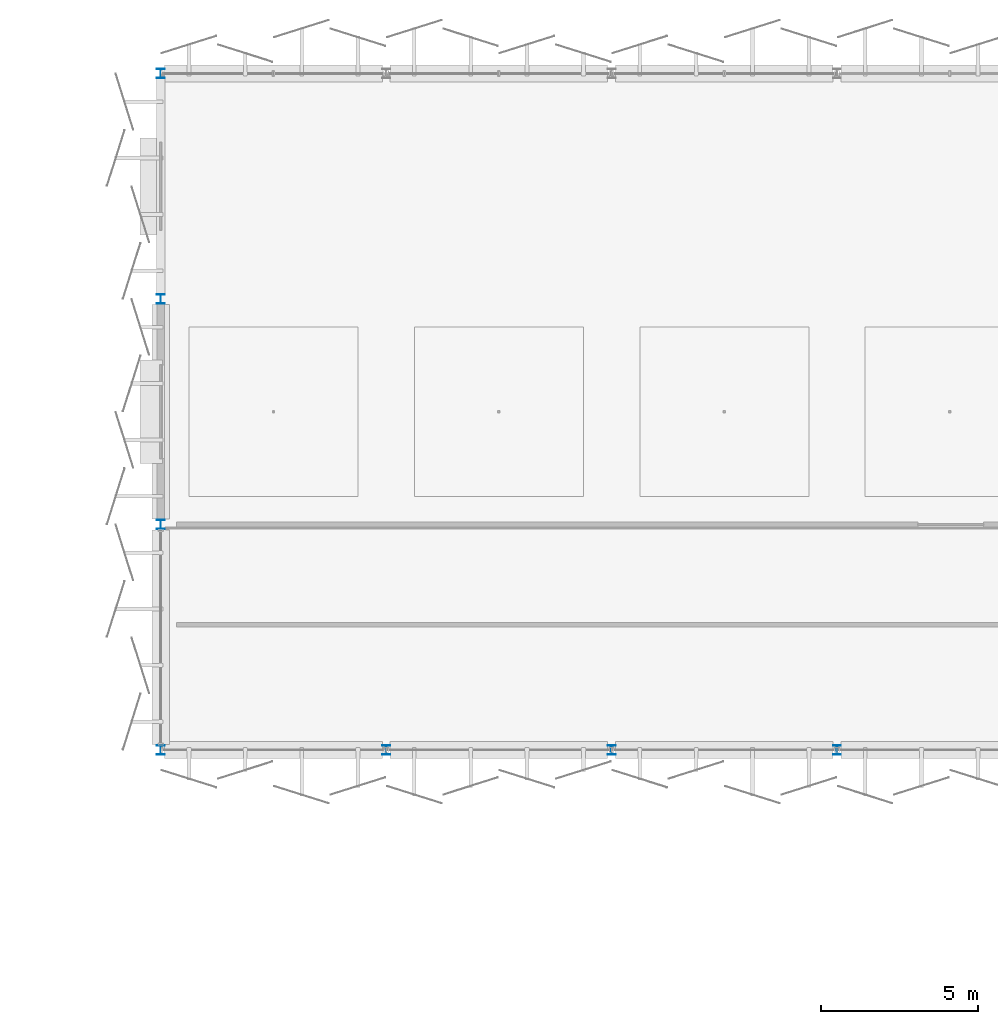
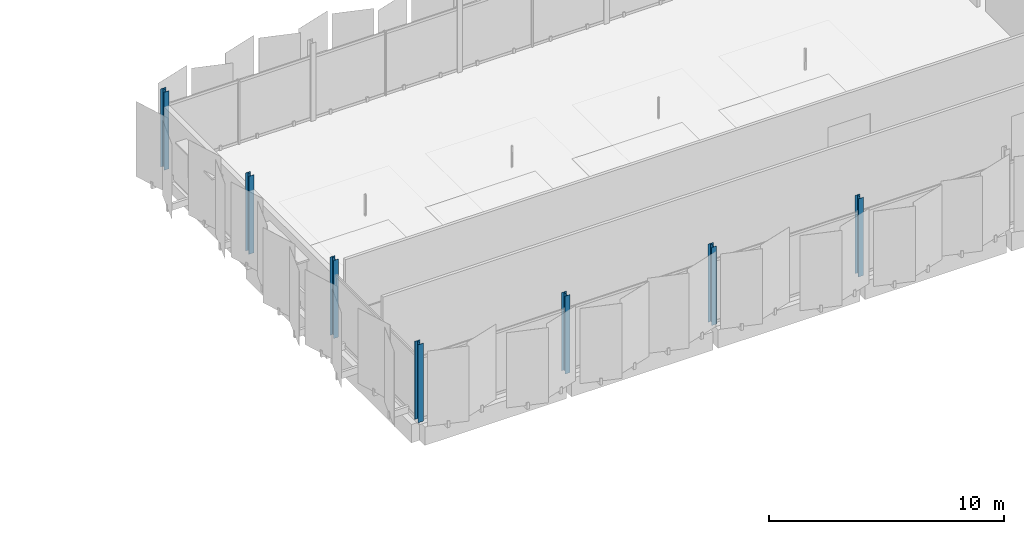
# One storey, part 2 of 77: 7 columns.
"""IFC4 building model written with IfcOpenShell, lengths in metres."""

from ifc_helpers import new_model, si_unit, direction, frame, origin, origin_2d, place, context, subcontext, project, spatial, i_section, extrude, material, material_profile, profile_set, type_object, element, save


model = new_model("IFC4")

# Units and contexts
model_context = context("Model", 3, precision=1e-05, world=origin(), true_north=direction((0.0, 1.0)))
body_context = subcontext(model_context, "Body", "Model", "MODEL_VIEW")
ifc_project = project(units=[si_unit("LENGTHUNIT", "METRE"), si_unit("AREAUNIT", "SQUARE_METRE"), si_unit("VOLUMEUNIT", "CUBIC_METRE"), si_unit("PLANEANGLEUNIT", "RADIAN"), si_unit("MASSUNIT", "GRAM", prefix="KILO")], contexts=[model_context])

# Site, building, storey
site_placement = place(None, origin())
site = spatial("IfcSite", under=ifc_project, at=site_placement, CompositionType="ELEMENT")
building_placement = place(site_placement, origin())
building = spatial("IfcBuilding", under=site, at=building_placement, Name="Kangsadwip Square Police Headquarters", CompositionType="ELEMENT")
storey_placement = place(building_placement, frame((0.0, 0.0, 17.550048828125)))
storey = spatial("IfcBuildingStorey", under=building, at=storey_placement, Name="L04", CompositionType="ELEMENT", Elevation=17.550048828125)

# Columns
ifc_material = material(Name="Structural steel IS 2062 E350 (Grade 350, 350 MPa)", Category="steel")
ifc_material_profile = material_profile(ifc_material, i_section(OverallWidth=0.25, OverallDepth=0.300048828125, WebThickness=0.009521484375, FlangeThickness=0.010498046875, at=origin_2d()), Name="ISHB 300")
ifc_profile_set = profile_set([ifc_material_profile], Name="Structural steel IS 2062 E350 (Grade 350, 350 MPa)")
column_type = type_object("IfcColumnType", Name="SteelColIshb300", PredefinedType="COLUMN", material=ifc_profile_set)
for number, where, z_axis, x_axis, name in (
    (1, (93.60009765625, 93.60009765625, 0.0), (0.0, 0.0, 1.0), (1.0, 0.0, 0.0), "Column COL-L04-13-13"),
    (2, (93.60009765625, 100.800048828125, 0.0), (0.0, 0.0, 1.0), (1.0, 0.0, 0.0), "Column COL-L04-13-14"),
    (3, (93.60009765625, 108.0, 0.0), (0.0, 0.0, 1.0), (1.0, 0.0, 0.0), "Column COL-L04-13-15"),
    (4, (93.60009765625, 115.199951171875, 0.0), (0.0, 0.0, 1.0), (1.0, 0.0, 0.0), "Column COL-L04-13-16"),
    (5, (100.800048828125, 93.60009765625, 0.0), (0.0, 0.0, 1.0), (1.0, 0.0, 0.0), "Column COL-L04-14-13"),
    (6, (108.0, 93.60009765625, 0.0), (0.0, 0.0, 1.0), (1.0, 0.0, 0.0), "Column COL-L04-15-13"),
    (7, (115.199951171875, 93.60009765625, 0.0), (0.0, 0.0, 1.0), (1.0, 0.0, 0.0), "Column COL-L04-16-13"),
):
    element("IfcColumn", number, at=place(storey_placement, frame(where, z_axis=z_axis, x_axis=x_axis)), inside=storey, type_object=column_type, Name=name, PredefinedType="COLUMN", context=body_context, shape_type="SweptSolid", body=[
        extrude(i_section(OverallWidth=0.25, OverallDepth=0.300048828125, WebThickness=0.009521484375, FlangeThickness=0.010498046875, at=origin_2d()), origin(), (0.0, 0.0, 1.0), 4.050048828125),
    ])

save(model, "model.ifc")
